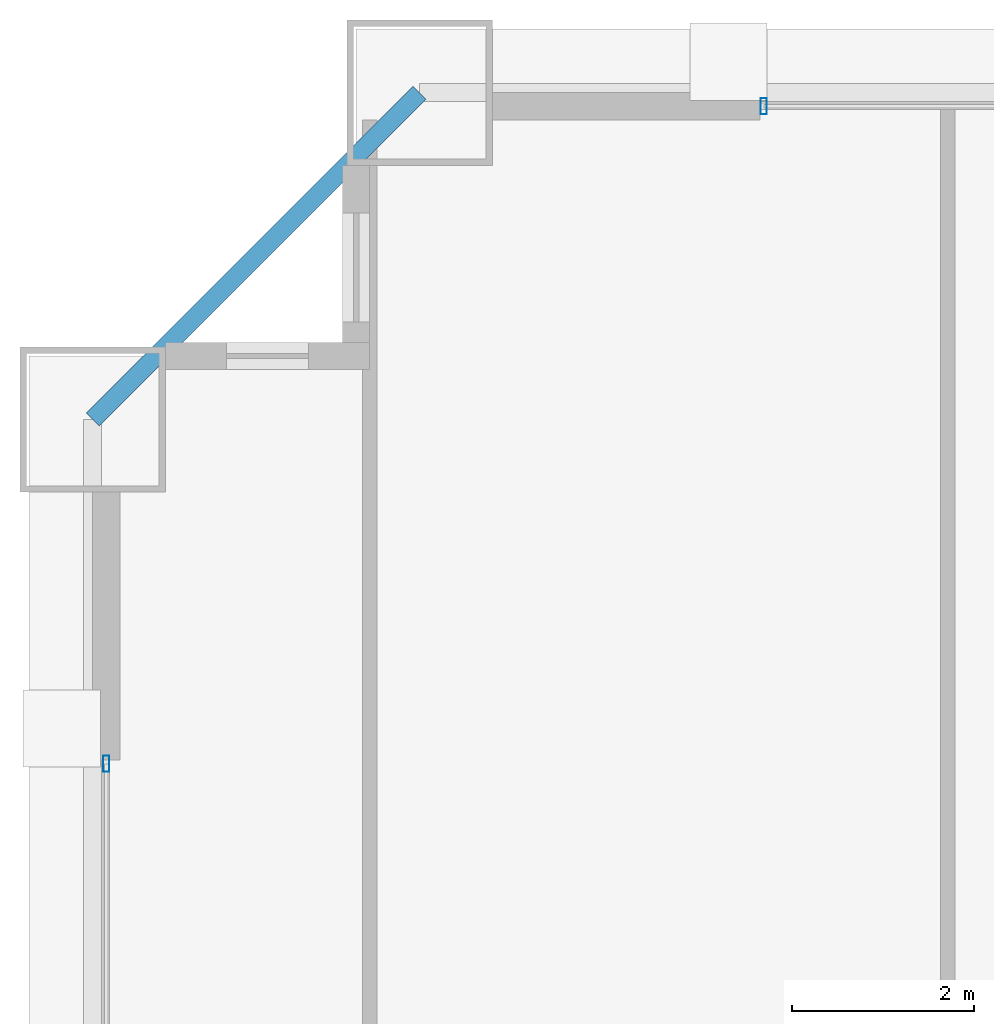
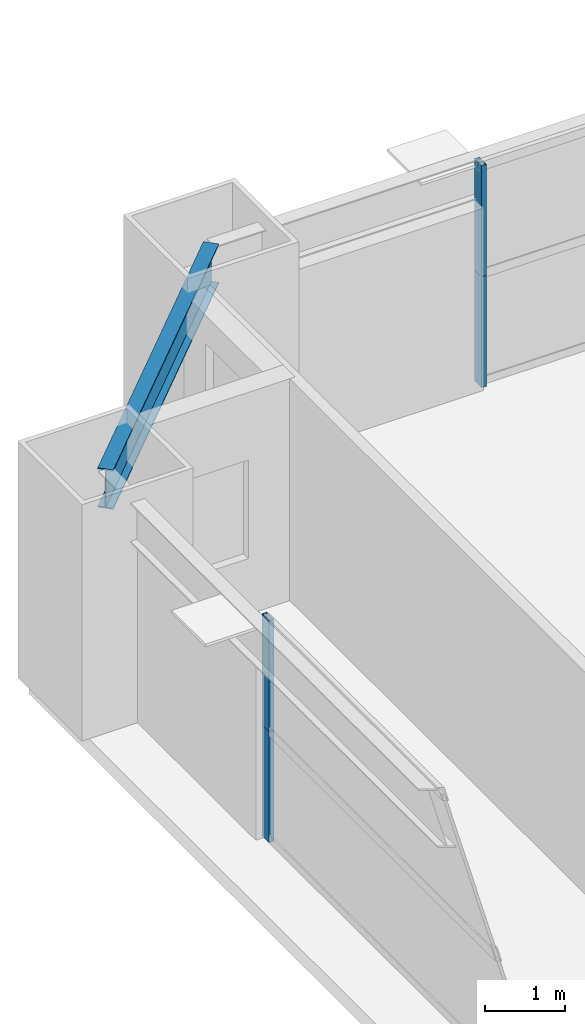
# One storey, part 23 of 39: 4 members, 1 beam, 2 elements without a shape of their own.
"""IFC4 building model written with IfcOpenShell, lengths in metres."""

import ifcopenshell
import ifcopenshell.guid

model = None  # the IFC model being written
_history = None  # IfcOwnerHistory: only IFC2X3 demands one
_inside = {}  # id of a spatial element -> (the spatial element, [elements in it])
_under = {}  # id of a project, library or spatial element -> (it, [spatial elements below it])
_declared = {}  # id of a project -> (the project, [libraries it declares])
_typed = {}  # id of a type object -> (the type object, [elements of that type])
_made_of = {}  # id of a material, layer set ... -> (it, [elements and type objects made of it])


def new_model(schema):
    """Start an empty IFC model of exactly this schema.

    Asked for "IFC4X3", IfcOpenShell would pick the latest addendum, in which some entities
    have other attributes; the version numbers below select the first issue.
    IFC2X3 requires an IfcOwnerHistory on every rooted entity: one is made here for all.
    """
    global model, _history
    if schema == "IFC4X3":
        model = ifcopenshell.file(schema_version=(4, 3, 0, 0))
    else:
        model = ifcopenshell.file(schema=schema)
    _inside.clear()
    _under.clear()
    _declared.clear()
    _typed.clear()
    _made_of.clear()
    _history = None
    if model.schema == "IFC2X3":
        org = make("IfcOrganization", Name="unknown")
        user = make(
            "IfcPersonAndOrganization",
            ThePerson=make("IfcPerson", FamilyName="unknown"),
            TheOrganization=org,
        )
        app = make(
            "IfcApplication",
            ApplicationDeveloper=org,
            Version="unknown",
            ApplicationFullName="unknown",
            ApplicationIdentifier="unknown",
        )
        _history = make(
            "IfcOwnerHistory",
            OwningUser=user,
            OwningApplication=app,
            ChangeAction="ADDED",
            CreationDate=0,
        )
    return model


def make(cls, **values):
    """One entity of the class cls with the attributes given. An attribute that is None is left unset."""
    return model.create_entity(
        cls, **{name: value for name, value in values.items() if value is not None}
    )


def rooted(cls, **values):
    """An entity with a GlobalId (a new one), such as an element, a storey or a relation."""
    return make(cls, GlobalId=ifcopenshell.guid.new(), OwnerHistory=_history, **values)


def si_unit(unit_type, name, prefix=None):
    """IfcSIUnit, for example si_unit("LENGTHUNIT", "METRE", prefix="MILLI")."""
    return make("IfcSIUnit", UnitType=unit_type, Prefix=prefix, Name=name)


def assignment(units):
    """IfcUnitAssignment: the units of a project."""
    return None if units is None else make("IfcUnitAssignment", Units=units)


def point(xyz):
    """IfcCartesianPoint."""
    return None if xyz is None else make("IfcCartesianPoint", Coordinates=xyz)


def direction(xyz):
    """IfcDirection."""
    return None if xyz is None else make("IfcDirection", DirectionRatios=xyz)


def frame(location, z_axis=None, x_axis=None):
    """IfcAxis2Placement3D, a coordinate frame: its origin and axes. An axis left out is left unset."""
    return make(
        "IfcAxis2Placement3D",
        Location=point(location),
        Axis=direction(z_axis),
        RefDirection=direction(x_axis),
    )


def frame_2d(location, x_axis=None):
    """IfcAxis2Placement2D, a coordinate frame in the plane: its origin and x axis."""
    return make(
        "IfcAxis2Placement2D", Location=point(location), RefDirection=direction(x_axis)
    )


def origin():
    """The frame at (0, 0, 0) with its axes left unset."""
    return frame((0.0, 0.0, 0.0))


def origin_2d():
    """The frame at (0, 0) in the plane with its x axis left unset."""
    return frame_2d((0.0, 0.0))


def place(relative_to, where):
    """IfcLocalPlacement: puts the frame where relative to a parent placement (None: the world)."""
    return make(
        "IfcLocalPlacement", PlacementRelTo=relative_to, RelativePlacement=where
    )


def context(
    kind, dimensions, precision=None, world=None, true_north=None, identifier=None
):
    """IfcGeometricRepresentationContext, for example the 3D "Model" context."""
    return make(
        "IfcGeometricRepresentationContext",
        ContextIdentifier=identifier,
        ContextType=kind,
        CoordinateSpaceDimension=dimensions,
        Precision=precision,
        WorldCoordinateSystem=world,
        TrueNorth=true_north,
    )


def subcontext(parent, identifier, kind, view, scale=None):
    """IfcGeometricRepresentationSubContext, for example "Body" below "Model"."""
    return make(
        "IfcGeometricRepresentationSubContext",
        ContextIdentifier=identifier,
        ContextType=kind,
        ParentContext=parent,
        TargetScale=scale,
        TargetView=view,
    )


def project(units=None, contexts=None):
    """IfcProject with its units and contexts."""
    return rooted(
        "IfcProject",
        Name="project",
        RepresentationContexts=contexts,
        UnitsInContext=assignment(units),
    )


def spatial(cls, under=None, at=None, **own):
    """A site, building, storey or space (cls), placed at a placement, below another one or the project."""
    s = rooted(cls, ObjectPlacement=at, **own)
    if under is not None:
        _under.setdefault(under.id(), (under, []))[1].append(s)
    return s


def profile(cls, at=None, kind="AREA", **sizes):
    """A parametric profile (cls). Its sizes go by their IFC names, for example OverallWidth=200.0."""
    return make(cls, ProfileType=kind, Position=at, **sizes)


def hollow_rectangle(**sizes):
    """IfcRectangleHollowProfileDef."""
    return profile("IfcRectangleHollowProfileDef", **sizes)


def i_section(**sizes):
    """IfcIShapeProfileDef."""
    return profile("IfcIShapeProfileDef", **sizes)


def extrude(swept, where, along, depth):
    """IfcExtrudedAreaSolid: the profile swept, set in the frame where, extruded along a direction by depth."""
    return make(
        "IfcExtrudedAreaSolid",
        SweptArea=swept,
        Position=where,
        ExtrudedDirection=direction(along),
        Depth=depth,
    )


def shape(context_of_items, identifier, shape_type, items):
    """IfcShapeRepresentation: the items that make up one representation, for example the "Body"."""
    return make(
        "IfcShapeRepresentation",
        ContextOfItems=context_of_items,
        RepresentationIdentifier=identifier,
        RepresentationType=shape_type,
        Items=items,
    )


def source(mapping_origin, context_of_items, identifier, shape_type, items):
    """IfcRepresentationMap: a shape defined once, which mapped items show again and again."""
    return make(
        "IfcRepresentationMap",
        MappingOrigin=mapping_origin,
        MappedRepresentation=shape(context_of_items, identifier, shape_type, items),
    )


def transform(
    local_origin,
    x_axis=None,
    y_axis=None,
    z_axis=None,
    scale=None,
    scale2=None,
    scale3=None,
    uniform=True,
):
    """IfcCartesianTransformationOperator3D, or its non-uniform kind. x_axis, y_axis, z_axis: its Axis1, 2, 3."""
    if uniform:
        return make(
            "IfcCartesianTransformationOperator3D",
            Axis1=direction(x_axis),
            Axis2=direction(y_axis),
            LocalOrigin=point(local_origin),
            Scale=scale,
            Axis3=direction(z_axis),
        )
    return make(
        "IfcCartesianTransformationOperator3DnonUniform",
        Axis1=direction(x_axis),
        Axis2=direction(y_axis),
        LocalOrigin=point(local_origin),
        Scale=scale,
        Axis3=direction(z_axis),
        Scale2=scale2,
        Scale3=scale3,
    )


def mapped(mapping_source, mapping_target):
    """IfcMappedItem: shows the shape of a source again, moved by a transform."""
    return make(
        "IfcMappedItem", MappingSource=mapping_source, MappingTarget=mapping_target
    )


def material(Name=None, Category=None):
    """IfcMaterial."""
    return make("IfcMaterial", Name=Name, Category=Category)


def layer(
    of_material, thickness, ventilated=None, Name=None, Category=None, Priority=None
):
    """IfcMaterialLayer: one layer of a wall or slab, of a material (None: an air gap)."""
    return make(
        "IfcMaterialLayer",
        Material=of_material,
        LayerThickness=thickness,
        IsVentilated=ventilated,
        Name=Name,
        Category=Category,
        Priority=Priority,
    )


def layer_set(layers, Name=None):
    """IfcMaterialLayerSet."""
    return make("IfcMaterialLayerSet", MaterialLayers=layers, LayerSetName=Name)


def material_profile(
    of_material, cross_section, Name=None, Category=None, Priority=None
):
    """IfcMaterialProfile: a cross section and its material."""
    return make(
        "IfcMaterialProfile",
        Name=Name,
        Material=of_material,
        Profile=cross_section,
        Priority=Priority,
        Category=Category,
    )


def profile_set(profiles, Name=None, composite=None):
    """IfcMaterialProfileSet."""
    return make(
        "IfcMaterialProfileSet",
        Name=Name,
        MaterialProfiles=profiles,
        CompositeProfile=composite,
    )


def made_of(thing, what):
    """Note that an element or type object is made of a material, layer set ...; save() writes the relation."""
    if what is not None:
        _made_of.setdefault(what.id(), (what, []))[1].append(thing)
    return thing


def type_object(cls, material=None, **own):
    """A type object (cls), such as IfcWallType, which elements share."""
    return made_of(rooted(cls, **own), material)


def element(
    cls,
    number,
    at=None,
    inside=None,
    cuts=None,
    type_object=None,
    material=None,
    context=None,
    identifier="Body",
    shape_type=None,
    held_by="IfcProductDefinitionShape",
    body=None,
    shapes=None,
    **own,
):
    """One element of the class cls, such as IfcWall. Its Tag is "e" and its number.

    at: its placement. inside: the storey or other place that contains it. cuts: it is an
    opening in that element (IfcRelVoidsElement). A single representation is given by context,
    identifier, shape_type and body (its items); several are given by shapes. held_by: the class
    of the entity that holds the representations. save() writes the other relations.
    """
    e = rooted(cls, Tag="e%d" % number, ObjectPlacement=at, **own)
    if body is not None:
        shapes = [shape(context, identifier, shape_type, body)]
    if shapes is not None:
        e.Representation = make(held_by, Representations=shapes)
    if inside is not None:
        _inside.setdefault(inside.id(), (inside, []))[1].append(e)
    if cuts is not None:
        rooted(
            "IfcRelVoidsElement", RelatingBuildingElement=cuts, RelatedOpeningElement=e
        )
    if type_object is not None:
        _typed.setdefault(type_object.id(), (type_object, []))[1].append(e)
    return made_of(e, material)


def aggregate(whole, parts):
    """IfcRelAggregates: a whole, such as a stair, and the parts it consists of."""
    return rooted("IfcRelAggregates", RelatingObject=whole, RelatedObjects=parts)


def save(model, path):
    """Write the relations noted so far, then the file.

    IfcRelAggregates (storeys below a building ...), IfcRelContainedInSpatialStructure (elements
    in a storey), IfcRelDefinesByType, IfcRelAssociatesMaterial and IfcRelDeclares: one each for
    every whole, place, type object, material and project.
    """
    for whole, parts in _under.values():
        aggregate(whole, parts)
    for where, things in _inside.values():
        rooted(
            "IfcRelContainedInSpatialStructure",
            RelatedElements=things,
            RelatingStructure=where,
        )
    for kind, things in _typed.values():
        rooted("IfcRelDefinesByType", RelatedObjects=things, RelatingType=kind)
    for what, things in _made_of.values():
        rooted("IfcRelAssociatesMaterial", RelatedObjects=things, RelatingMaterial=what)
    for by, libraries in _declared.values():
        rooted("IfcRelDeclares", RelatingContext=by, RelatedDefinitions=libraries)
    model.write(path)


model = new_model("IFC4")

# Units and contexts
model_context = context("Model", 3, precision=1e-05, world=origin(), true_north=direction((0.0, 1.0)))
body_context = subcontext(model_context, "Body", "Model", "MODEL_VIEW")
ifc_project = project(units=[si_unit("LENGTHUNIT", "METRE"), si_unit("AREAUNIT", "SQUARE_METRE"), si_unit("VOLUMEUNIT", "CUBIC_METRE"), si_unit("PLANEANGLEUNIT", "RADIAN"), si_unit("MASSUNIT", "GRAM", prefix="KILO"), si_unit("THERMODYNAMICTEMPERATUREUNIT", "KELVIN"), si_unit("POWERUNIT", "WATT")], contexts=[model_context])

# Site, building, storey
site_placement = place(None, origin())
site = spatial("IfcSite", under=ifc_project, at=site_placement, CompositionType="ELEMENT")
building_placement = place(site_placement, origin())
building = spatial("IfcBuilding", under=site, at=building_placement, Name="Yuzanri Waterfront Tower", CompositionType="ELEMENT")
storey_placement = place(building_placement, frame((0.0, 0.0, 141.60009765625)))
storey = spatial("IfcBuildingStorey", under=building, at=storey_placement, Name="L37", CompositionType="ELEMENT", Elevation=141.60009765625)

# Beam
ifc_material_1 = material(Name="Steel Q355B", Category="steel")
ifc_material_profile_1 = material_profile(ifc_material_1, i_section(OverallWidth=0.199951171875, OverallDepth=0.60009765625, WebThickness=0.010986328125, FlangeThickness=0.01708984375, at=origin_2d()), Name="HN 600x200x11x17")
ifc_profile_set_1 = profile_set([ifc_material_profile_1], Name="Steel Q355B")
beam_type = type_object("IfcBeamType", Name="Perimeter Spandrel Q355B HN 600x200", PredefinedType="SPANDREL", material=ifc_profile_set_1)
shared_shape_1 = source(origin(), body_context, "Body", "SweptSolid", [
    extrude(i_section(OverallWidth=0.199951171875, OverallDepth=0.60009765625, WebThickness=0.010986328125, FlangeThickness=0.01708984375, at=origin_2d()), origin(), (0.0, 0.0, 1.0), 5.091064453125),
])
beam_placement = place(storey_placement, frame((17.0, 49.39990234375, 3.079833984375), z_axis=(-0.707130757816, -0.707082803744, 0.0), x_axis=(0.707082803744, -0.707130757816, 0.0)))
element("IfcBeam", 1, at=beam_placement, inside=storey, type_object=beam_type, Name="L37 Perimeter Spandrel N1-W3", PredefinedType="SPANDREL", context=body_context, shape_type="MappedRepresentation", body=[
    mapped(shared_shape_1, transform((0.0, 0.0, 0.0), scale=1.0)),
])

# Curtain wall, members
ifc_material_2 = material(Name="Anodized Architectural Bronze", Category="metal")
ifc_layer = layer(ifc_material_2, 0.159912109375)
ifc_layer_set = layer_set([ifc_layer], Name="Anodized Architectural Bronze")
curtain_wall_type = type_object("IfcCurtainWallType", Name="Anodized Bronze Hotel Upper-Tier Solar-Control Unitized Curtain Wall 7800", PredefinedType="NOTDEFINED", material=ifc_layer_set)
curtain_wall_1_placement = place(storey_placement, origin())
curtain_wall_1 = element("IfcCurtainWall", 2, at=curtain_wall_1_placement, inside=storey, type_object=curtain_wall_type, Name="L37 Curtain Wall CW-L37-NL", PredefinedType="NOTDEFINED")
ifc_material_3 = material(Name="Anodized Architectural Bronze", Category="metal")
ifc_material_profile_2 = material_profile(ifc_material_3, hollow_rectangle(XDim=0.070068359375, YDim=0.179931640625, WallThickness=0.00390625, at=origin_2d()), Name="CWM 70x180")
ifc_profile_set_2 = profile_set([ifc_material_profile_2], Name="Anodized Architectural Bronze")
member_type = type_object("IfcMemberType", Name="Anodized Bronze Standard Curtain-Wall Mullion 70x180", PredefinedType="MULLION", material=ifc_profile_set_2)
shared_shape_2 = source(origin(), body_context, "Body", "SweptSolid", [
    extrude(hollow_rectangle(XDim=0.070068359375, YDim=0.179931640625, WallThickness=0.00390625, at=origin_2d()), origin(), (0.0, 0.0, 1.0), 1.68798828125),
])
member_1_placement = place(storey_placement, frame((20.7900390625, 49.25, 0.0), z_axis=(0.0, 0.0, 1.0), x_axis=(1.0, 0.0, 0.0)))
member_1 = element("IfcMember", 3, at=member_1_placement, type_object=member_type, Name="CW-L37-NL Lower Mullion 00", PredefinedType="MULLION", context=body_context, shape_type="MappedRepresentation", body=[
    mapped(shared_shape_2, transform((0.0, 0.0, 0.0), scale=1.0)),
])
member_2_placement = place(storey_placement, frame((20.7900390625, 49.25, 1.69189453125), z_axis=(0.0, 0.0, 1.0), x_axis=(1.0, 0.0, 0.0)))
member_2 = element("IfcMember", 4, at=member_2_placement, type_object=member_type, Name="CW-L37-NL Upper Mullion 00", PredefinedType="MULLION", context=body_context, shape_type="MappedRepresentation", body=[
    mapped(shared_shape_2, transform((0.0, 0.0, 0.0), scale=1.0)),
])
aggregate(curtain_wall_1, [member_1, member_2])

curtain_wall_2_placement = place(storey_placement, origin())
curtain_wall_2 = element("IfcCurtainWall", 5, at=curtain_wall_2_placement, inside=storey, type_object=curtain_wall_type, Name="L37 Curtain Wall CW-L37-WR", PredefinedType="NOTDEFINED")
member_3_placement = place(storey_placement, frame((13.550048828125, 42.010009765625, 0.0), z_axis=(0.0, 0.0, 1.0), x_axis=(1.0, 0.0, 0.0)))
member_3 = element("IfcMember", 6, at=member_3_placement, type_object=member_type, Name="CW-L37-WR Lower Mullion 02", PredefinedType="MULLION", context=body_context, shape_type="MappedRepresentation", body=[
    mapped(shared_shape_2, transform((0.0, 0.0, 0.0), scale=1.0)),
])
member_4_placement = place(storey_placement, frame((13.550048828125, 42.010009765625, 1.69189453125), z_axis=(0.0, 0.0, 1.0), x_axis=(1.0, 0.0, 0.0)))
member_4 = element("IfcMember", 7, at=member_4_placement, type_object=member_type, Name="CW-L37-WR Upper Mullion 02", PredefinedType="MULLION", context=body_context, shape_type="MappedRepresentation", body=[
    mapped(shared_shape_2, transform((0.0, 0.0, 0.0), scale=1.0)),
])
aggregate(curtain_wall_2, [member_3, member_4])

save(model, "model.ifc")
